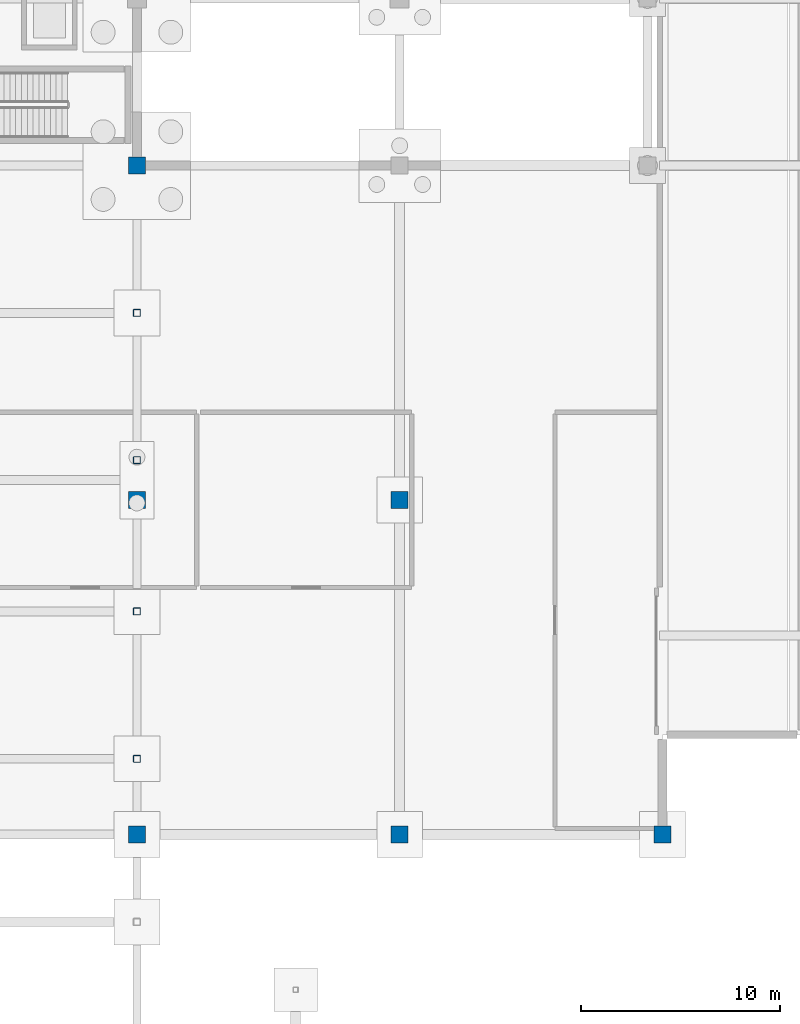
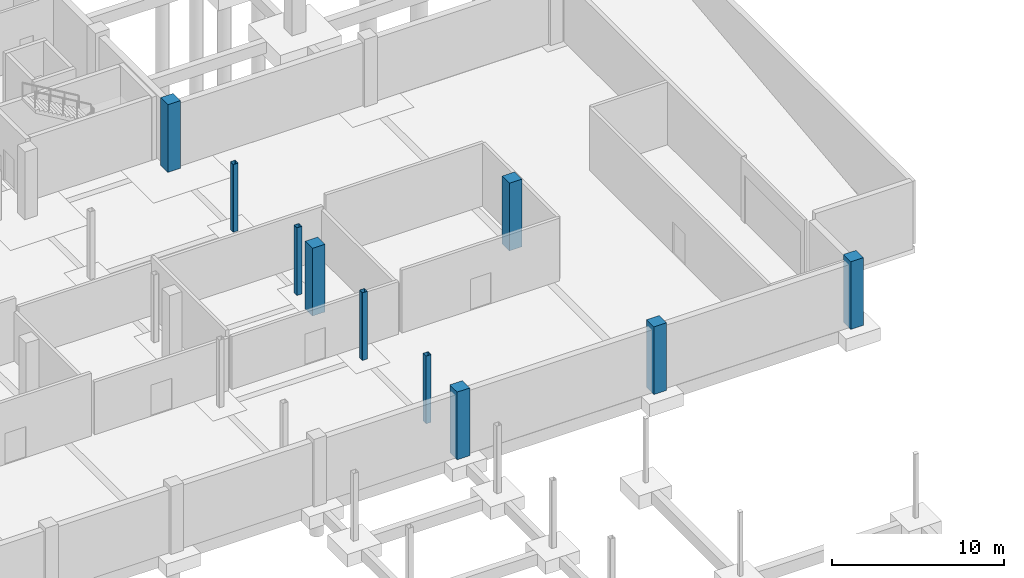
# One storey, part 29 of 44: 10 columns.
"""IFC4 building model written with IfcOpenShell, lengths in metres."""

from ifc_helpers import new_model, si_unit, direction, frame, origin, origin_2d, place, context, subcontext, project, spatial, rectangle, hollow_rectangle, extrude, material, material_profile, profile_set, type_object, element, save


model = new_model("IFC4")

# Units and contexts
model_context = context("Model", 3, precision=1e-05, world=origin(), true_north=direction((0.0, 1.0)))
body_context = subcontext(model_context, "Body", "Model", "MODEL_VIEW")
ifc_project = project(units=[si_unit("LENGTHUNIT", "METRE"), si_unit("AREAUNIT", "SQUARE_METRE"), si_unit("VOLUMEUNIT", "CUBIC_METRE"), si_unit("PLANEANGLEUNIT", "RADIAN"), si_unit("MASSUNIT", "GRAM", prefix="KILO")], contexts=[model_context])

# Site, building, storey
site_placement = place(None, origin())
site = spatial("IfcSite", under=ifc_project, at=site_placement, CompositionType="ELEMENT")
building_placement = place(site_placement, origin())
building = spatial("IfcBuilding", under=site, at=building_placement, Name="Kisaragi Civic Commons", CompositionType="ELEMENT")
storey_placement = place(building_placement, frame((0.0, 0.0, -4.800048828125)))
storey = spatial("IfcBuildingStorey", under=building, at=storey_placement, Name="B1", CompositionType="ELEMENT", Elevation=-4.800048828125)

# Columns
ifc_material_1 = material(Name="Concrete Fc36", Category="concrete")
ifc_material_profile_1 = material_profile(ifc_material_1, rectangle(XDim=0.85009765625, YDim=0.85009765625, at=origin_2d()), Name="RC-850x850", Category="concrete")
ifc_profile_set_1 = profile_set([ifc_material_profile_1], Name="Concrete Fc36")
column_type_1 = type_object("IfcColumnType", Name="C-05", PredefinedType="COLUMN", material=ifc_profile_set_1)
for number, where, z_axis, x_axis, name in (
    (1, (133.199951171875, 62.39990234375, 0.0), (0.0, 0.0, 1.0), (1.0, 0.0, 0.0), "B1 column C-05 (133.2,62.4)"),
    (2, (133.199951171875, 79.199951171875, 0.0), (0.0, 0.0, 1.0), (1.0, 0.0, 0.0), "B1 column C-05 (133.2,79.2)"),
    (3, (133.199951171875, 96.0, 0.0), (0.0, 0.0, 1.0), (1.0, 0.0, 0.0), "B1 column C-05 (133.2,96.0)"),
    (4, (146.39990234375, 62.39990234375, 0.0), (0.0, 0.0, 1.0), (1.0, 0.0, 0.0), "B1 column C-05 (146.4,62.4)"),
    (5, (146.39990234375, 79.199951171875, 0.0), (0.0, 0.0, 1.0), (1.0, 0.0, 0.0), "B1 column C-05 (146.4,79.2)"),
    (6, (159.60009765625, 62.39990234375, 0.0), (0.0, 0.0, 1.0), (1.0, 0.0, 0.0), "B1 column C-05 (159.6,62.4)"),
):
    element("IfcColumn", number, at=place(storey_placement, frame(where, z_axis=z_axis, x_axis=x_axis)), inside=storey, type_object=column_type_1, Name=name, PredefinedType="COLUMN", context=body_context, shape_type="SweptSolid", body=[
        extrude(rectangle(XDim=0.85009765625, YDim=0.85009765625, at=origin_2d()), origin(), (0.0, 0.0, 1.0), 4.800048828125),
    ])
ifc_material_2 = material(Name="Steel BCR295", Category="steel")
ifc_material_profile_2 = material_profile(ifc_material_2, hollow_rectangle(XDim=0.35009765625, YDim=0.35009765625, WallThickness=0.011962890625, InnerFilletRadius=0.011962890625, OuterFilletRadius=0.02392578125, at=origin_2d()), Name="BCR-350x350x12", Category="steel")
ifc_profile_set_2 = profile_set([ifc_material_profile_2], Name="Steel BCR295")
column_type_2 = type_object("IfcColumnType", Name="C-13", PredefinedType="COLUMN", material=ifc_profile_set_2)
for number, where, z_axis, x_axis, name in (
    (7, (133.199951171875, 66.199951171875, 0.0), (0.0, 0.0, 1.0), (1.0, 0.0, 0.0), "B1 column C-13 (133.2,66.2)"),
    (8, (133.199951171875, 73.60009765625, 0.0), (0.0, 0.0, 1.0), (1.0, 0.0, 0.0), "B1 column C-13 (133.2,73.6)"),
    (9, (133.199951171875, 81.199951171875, 0.0), (0.0, 0.0, 1.0), (1.0, 0.0, 0.0), "B1 column C-13 (133.2,81.2)"),
    (10, (133.199951171875, 88.60009765625, 0.0), (0.0, 0.0, 1.0), (1.0, 0.0, 0.0), "B1 column C-13 (133.2,88.6)"),
):
    element("IfcColumn", number, at=place(storey_placement, frame(where, z_axis=z_axis, x_axis=x_axis)), inside=storey, type_object=column_type_2, Name=name, PredefinedType="COLUMN", context=body_context, shape_type="SweptSolid", body=[
        extrude(hollow_rectangle(XDim=0.35009765625, YDim=0.35009765625, WallThickness=0.011962890625, InnerFilletRadius=0.011962890625, OuterFilletRadius=0.02392578125, at=origin_2d()), origin(), (0.0, 0.0, 1.0), 4.800048828125),
    ])

save(model, "model.ifc")
